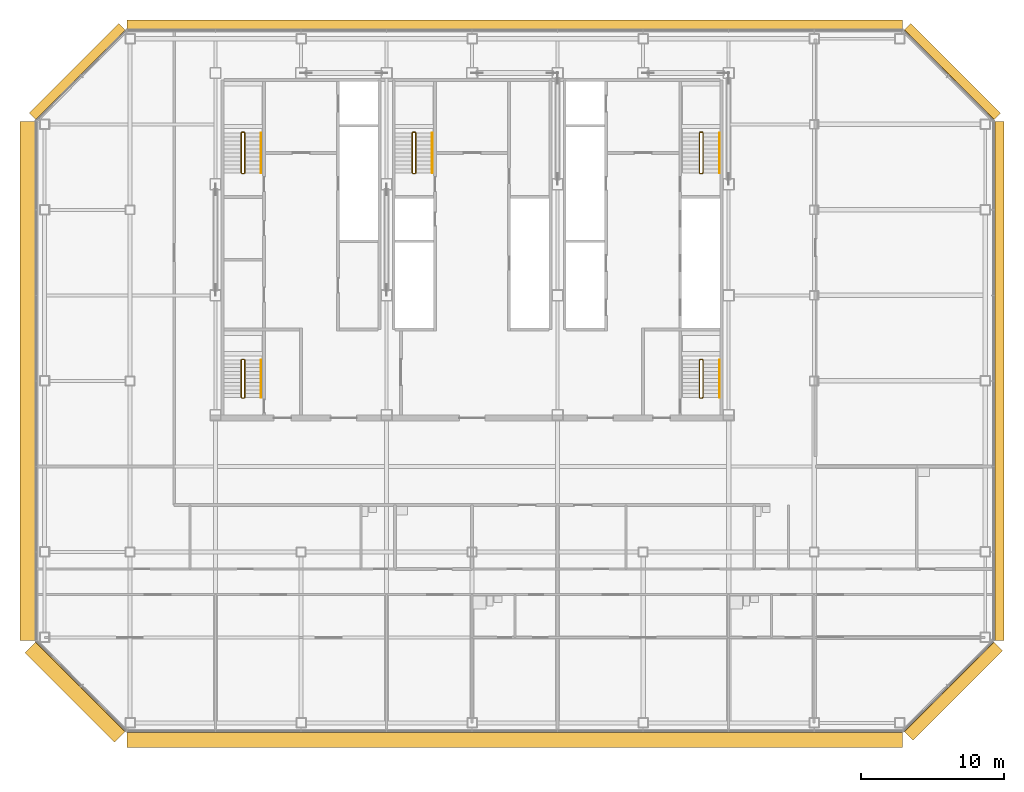
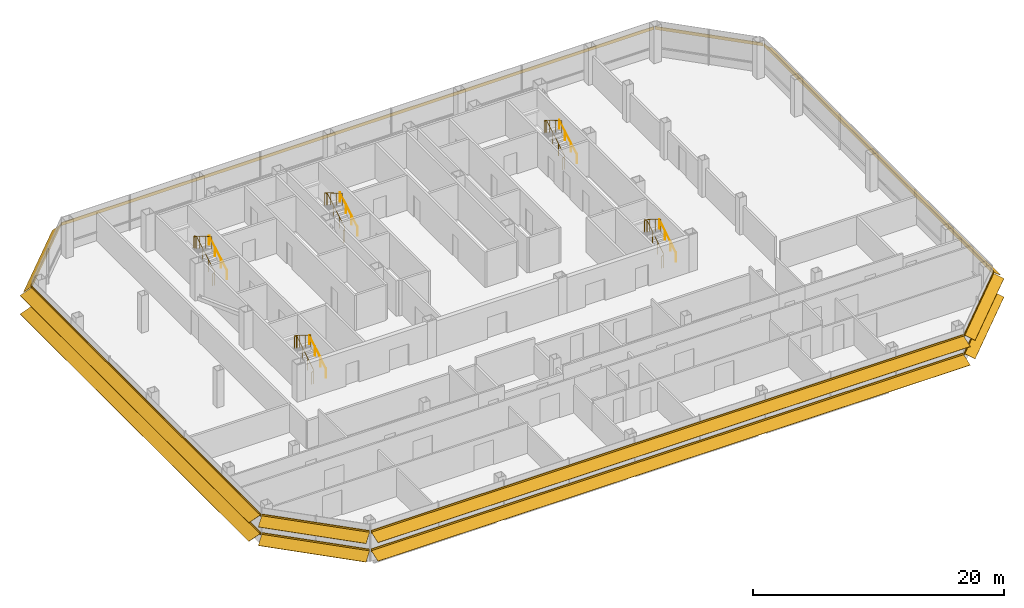
# One storey, part 23 of 24: 10 railings, 8 shading devices.
"""IFC4 building model written with IfcOpenShell, lengths in metres."""

from ifc_helpers import new_model, si_unit, direction, frame, origin, origin_2d, place, context, subcontext, project, spatial, polyline, circle, outline, composite_profile, extrude, material, type_object, element, save


model = new_model("IFC4")

# Units and contexts
model_context = context("Model", 3, precision=1e-05, world=origin(), true_north=direction((0.0, 1.0)))
body_context = subcontext(model_context, "Body", "Model", "MODEL_VIEW")
ifc_project = project(units=[si_unit("LENGTHUNIT", "METRE"), si_unit("AREAUNIT", "SQUARE_METRE"), si_unit("VOLUMEUNIT", "CUBIC_METRE"), si_unit("PLANEANGLEUNIT", "RADIAN"), si_unit("MASSUNIT", "GRAM", prefix="KILO")], contexts=[model_context])

# Site, building, storey
site_placement = place(None, origin())
site = spatial("IfcSite", under=ifc_project, at=site_placement, CompositionType="ELEMENT")
building_placement = place(site_placement, origin())
building = spatial("IfcBuilding", under=site, at=building_placement, Name="Sorahane Residences", CompositionType="ELEMENT")
storey_placement = place(building_placement, frame((0.0, 0.0, 178.0)))
storey = spatial("IfcBuildingStorey", under=building, at=storey_placement, Name="L41", CompositionType="ELEMENT", Elevation=178.0)

# Shading devices
ifc_material_1 = material(Name="Terracotta anodised aluminium", Category="masonry")
shading_device_type_1 = type_object("IfcShadingDeviceType", Name="Louvre sunshade blade E terracotta aluminium 700", PredefinedType="JALOUSIE", material=ifc_material_1)
shading_device_1_placement = place(storey_placement, frame((60.60009765625, 5.801513671875, 2.699951171875), z_axis=(0.0, 1.0, 0.0), x_axis=(-1.0, 0.0, 0.0)))
element("IfcShadingDevice", 1, at=shading_device_1_placement, inside=storey, type_object=shading_device_type_1, Name="Louvre sunshade blade bank E L41 E1", PredefinedType="JALOUSIE", context=body_context, shape_type="SweptSolid", body=[
    extrude(outline(polyline([(-0.719970703125, -0.49365234375), (-0.719970703125, -0.523681640625), (-0.080078125, -0.05859375), (-0.080078125, -0.14990234375), (-0.02001953125, -0.14990234375), (-0.02001953125, -0.014892578125), (-0.02001953125, 0.014892578125), (-0.02001953125, 0.14990234375), (-0.080078125, 0.14990234375), (-0.080078125, -0.028564453125), (-0.719970703125, -0.49365234375)])), origin(), (0.0, 0.0, 1.0), 36.39697265625),
])
ifc_material_2 = material(Name="Terracotta anodised aluminium", Category="masonry")
shading_device_type_2 = type_object("IfcShadingDeviceType", Name="Louvre sunshade blade N terracotta aluminium 700", PredefinedType="JALOUSIE", material=ifc_material_2)
shading_device_2_placement = place(storey_placement, frame((54.198486328125, 48.60009765625, 2.699951171875), z_axis=(-1.0, 0.0, 0.0), x_axis=(0.0, -1.0, 0.0)))
element("IfcShadingDevice", 2, at=shading_device_2_placement, inside=storey, type_object=shading_device_type_2, Name="Louvre sunshade blade bank N L41 N1", PredefinedType="JALOUSIE", context=body_context, shape_type="SweptSolid", body=[
    extrude(outline(polyline([(-0.719970703125, -0.660888671875), (-0.719970703125, -0.69091796875), (-0.080078125, -0.072998046875), (-0.080078125, -0.14990234375), (-0.02001953125, -0.14990234375), (-0.02001953125, -0.014892578125), (-0.02001953125, 0.014892578125), (-0.02001953125, 0.14990234375), (-0.080078125, 0.14990234375), (-0.080078125, -0.04296875), (-0.719970703125, -0.660888671875)])), origin(), (0.0, 0.0, 1.0), 54.39697265625),
])
ifc_material_3 = material(Name="Terracotta anodised aluminium", Category="masonry")
shading_device_type_3 = type_object("IfcShadingDeviceType", Name="Louvre sunshade blade NE terracotta aluminium 700", PredefinedType="JALOUSIE", material=ifc_material_3)
shading_device_3_placement = place(storey_placement, frame((60.564697265625, 42.283935546875, 2.699951171875), z_axis=(-0.707106781187, 0.707106781187, 0.0), x_axis=(-0.707106781187, -0.707106781187, 0.0)))
element("IfcShadingDevice", 3, at=shading_device_3_placement, inside=storey, type_object=shading_device_type_3, Name="Louvre sunshade blade bank NE L41 NE1", PredefinedType="JALOUSIE", context=body_context, shape_type="SweptSolid", body=[
    extrude(outline(polyline([(-0.719970703125, -0.572509765625), (-0.719970703125, -0.602294921875), (-0.080078125, -0.065185546875), (-0.080078125, -0.14990234375), (-0.02001953125, -0.14990234375), (-0.02001953125, -0.014892578125), (-0.02001953125, 0.014892578125), (-0.02001953125, 0.14990234375), (-0.080078125, 0.14990234375), (-0.080078125, -0.035400390625), (-0.719970703125, -0.572509765625)])), origin(), (0.0, 0.0, 1.0), 8.88232421875),
])
ifc_material_4 = material(Name="Terracotta anodised aluminium", Category="masonry")
shading_device_type_4 = type_object("IfcShadingDeviceType", Name="Louvre sunshade blade NW terracotta aluminium 700", PredefinedType="JALOUSIE", material=ifc_material_4)
shading_device_4_placement = place(storey_placement, frame((-0.283935546875, 48.564697265625, 2.699951171875), z_axis=(-0.707106781187, -0.707106781187, 0.0), x_axis=(0.707106781187, -0.707106781187, 0.0)))
element("IfcShadingDevice", 4, at=shading_device_4_placement, inside=storey, type_object=shading_device_type_4, Name="Louvre sunshade blade bank NW L41 NW1", PredefinedType="JALOUSIE", context=body_context, shape_type="SweptSolid", body=[
    extrude(outline(polyline([(-0.719970703125, -0.660888671875), (-0.719970703125, -0.69091796875), (-0.080078125, -0.072998046875), (-0.080078125, -0.14990234375), (-0.02001953125, -0.14990234375), (-0.02001953125, -0.014892578125), (-0.02001953125, 0.014892578125), (-0.02001953125, 0.14990234375), (-0.080078125, 0.14990234375), (-0.080078125, -0.04296875), (-0.719970703125, -0.660888671875)])), origin(), (0.0, 0.0, 1.0), 8.88232421875),
])
ifc_material_5 = material(Name="Terracotta anodised aluminium", Category="masonry")
shading_device_type_5 = type_object("IfcShadingDeviceType", Name="Louvre sunshade blade S terracotta aluminium 1100", PredefinedType="JALOUSIE", material=ifc_material_5)
shading_device_5_placement = place(storey_placement, frame((-0.198486328125, -0.60009765625, 0.89990234375), z_axis=(1.0, 0.0, 0.0), x_axis=(0.0, 1.0, 0.0)))
element("IfcShadingDevice", 5, at=shading_device_5_placement, inside=storey, type_object=shading_device_type_5, Name="Louvre sunshade blade bank S L41 S1", PredefinedType="JALOUSIE", context=body_context, shape_type="SweptSolid", body=[
    extrude(composite_profile([outline(polyline([(-1.1201171875, -0.385498046875), (-1.1201171875, -0.415283203125), (-0.080078125, -0.036865234375), (-0.080078125, -0.14990234375), (-0.02001953125, -0.14990234375), (-0.02001953125, -0.014892578125), (-0.02001953125, 0.014892578125), (-0.02001953125, 0.14990234375), (-0.080078125, 0.14990234375), (-0.080078125, -0.0068359375), (-1.1201171875, -0.385498046875)])), outline(polyline([(-1.1201171875, 1.41455078125), (-1.1201171875, 1.384521484375), (-0.080078125, 1.76318359375), (-0.080078125, 1.64990234375), (-0.02001953125, 1.64990234375), (-0.02001953125, 1.784912109375), (-0.02001953125, 1.81494140625), (-0.02001953125, 1.949951171875), (-0.080078125, 1.949951171875), (-0.080078125, 1.793212890625), (-1.1201171875, 1.41455078125)]))]), origin(), (0.0, 0.0, 1.0), 54.39697265625),
])
ifc_material_6 = material(Name="Terracotta anodised aluminium", Category="masonry")
shading_device_type_6 = type_object("IfcShadingDeviceType", Name="Louvre sunshade blade SE terracotta aluminium 900", PredefinedType="JALOUSIE", material=ifc_material_6)
shading_device_6_placement = place(storey_placement, frame((54.283935546875, -0.564697265625, 0.89990234375), z_axis=(0.707106781187, 0.707106781187, 0.0), x_axis=(-0.707106781187, 0.707106781187, 0.0)))
element("IfcShadingDevice", 6, at=shading_device_6_placement, inside=storey, type_object=shading_device_type_6, Name="Louvre sunshade blade bank SE L41 SE1", PredefinedType="JALOUSIE", context=body_context, shape_type="SweptSolid", body=[
    extrude(composite_profile([outline(polyline([(-0.919921875, -0.3486328125), (-0.919921875, -0.378662109375), (-0.080078125, -0.039306640625), (-0.080078125, -0.14990234375), (-0.02001953125, -0.14990234375), (-0.02001953125, -0.014892578125), (-0.02001953125, 0.014892578125), (-0.02001953125, 0.14990234375), (-0.080078125, 0.14990234375), (-0.080078125, -0.00927734375), (-0.919921875, -0.3486328125)])), outline(polyline([(-0.919921875, 1.451416015625), (-0.919921875, 1.42138671875), (-0.080078125, 1.7607421875), (-0.080078125, 1.64990234375), (-0.02001953125, 1.64990234375), (-0.02001953125, 1.784912109375), (-0.02001953125, 1.81494140625), (-0.02001953125, 1.949951171875), (-0.080078125, 1.949951171875), (-0.080078125, 1.790771484375), (-0.919921875, 1.451416015625)]))]), origin(), (0.0, 0.0, 1.0), 8.88232421875),
])
ifc_material_7 = material(Name="Terracotta anodised aluminium", Category="masonry")
shading_device_type_7 = type_object("IfcShadingDeviceType", Name="Louvre sunshade blade SW terracotta aluminium 1100", PredefinedType="JALOUSIE", material=ifc_material_7)
shading_device_7_placement = place(storey_placement, frame((-6.564697265625, 5.716064453125, 0.89990234375), z_axis=(0.707106781187, -0.707106781187, 0.0), x_axis=(0.707106781187, 0.707106781187, 0.0)))
element("IfcShadingDevice", 7, at=shading_device_7_placement, inside=storey, type_object=shading_device_type_7, Name="Louvre sunshade blade bank SW L41 SW1", PredefinedType="JALOUSIE", context=body_context, shape_type="SweptSolid", body=[
    extrude(composite_profile([outline(polyline([(-1.1201171875, -0.385498046875), (-1.1201171875, -0.415283203125), (-0.080078125, -0.036865234375), (-0.080078125, -0.14990234375), (-0.02001953125, -0.14990234375), (-0.02001953125, -0.014892578125), (-0.02001953125, 0.014892578125), (-0.02001953125, 0.14990234375), (-0.080078125, 0.14990234375), (-0.080078125, -0.0068359375), (-1.1201171875, -0.385498046875)])), outline(polyline([(-1.1201171875, 1.41455078125), (-1.1201171875, 1.384521484375), (-0.080078125, 1.76318359375), (-0.080078125, 1.64990234375), (-0.02001953125, 1.64990234375), (-0.02001953125, 1.784912109375), (-0.02001953125, 1.81494140625), (-0.02001953125, 1.949951171875), (-0.080078125, 1.949951171875), (-0.080078125, 1.793212890625), (-1.1201171875, 1.41455078125)]))]), origin(), (0.0, 0.0, 1.0), 8.88232421875),
])
ifc_material_8 = material(Name="Terracotta anodised aluminium", Category="masonry")
shading_device_type_8 = type_object("IfcShadingDeviceType", Name="Louvre sunshade blade W terracotta aluminium 1100", PredefinedType="JALOUSIE", material=ifc_material_8)
shading_device_8_placement = place(storey_placement, frame((-6.60009765625, 42.198486328125, 0.89990234375), z_axis=(0.0, -1.0, 0.0), x_axis=(1.0, 0.0, 0.0)))
element("IfcShadingDevice", 8, at=shading_device_8_placement, inside=storey, type_object=shading_device_type_8, Name="Louvre sunshade blade bank W L41 W1", PredefinedType="JALOUSIE", context=body_context, shape_type="SweptSolid", body=[
    extrude(composite_profile([outline(polyline([(-1.1201171875, -0.385498046875), (-1.1201171875, -0.415283203125), (-0.080078125, -0.036865234375), (-0.080078125, -0.14990234375), (-0.02001953125, -0.14990234375), (-0.02001953125, -0.014892578125), (-0.02001953125, 0.014892578125), (-0.02001953125, 0.14990234375), (-0.080078125, 0.14990234375), (-0.080078125, -0.0068359375), (-1.1201171875, -0.385498046875)])), outline(polyline([(-1.1201171875, 1.41455078125), (-1.1201171875, 1.384521484375), (-0.080078125, 1.76318359375), (-0.080078125, 1.64990234375), (-0.02001953125, 1.64990234375), (-0.02001953125, 1.784912109375), (-0.02001953125, 1.81494140625), (-0.02001953125, 1.949951171875), (-0.080078125, 1.949951171875), (-0.080078125, 1.793212890625), (-1.1201171875, 1.41455078125)]))]), origin(), (0.0, 0.0, 1.0), 36.39697265625),
])

# Railings
ifc_material_9 = material(Name="Steel Q355B", Category="steel")
railing_type_1 = type_object("IfcRailingType", Name="Stair guard 1200 Steel Q355B", PredefinedType="GUARDRAIL", material=ifc_material_9)
railing_1_placement = place(storey_placement, frame((7.85009765625, 38.550048828125, 0.0)))
element("IfcRailing", 9, at=railing_1_placement, inside=storey, type_object=railing_type_1, Name="L41 S1 stair guard 1", PredefinedType="GUARDRAIL", context=body_context, shape_type="SweptSolid", body=[
    extrude(circle(Radius=0.02392578125, at=origin_2d()), frame((0.0, 0.0, 1.17578125), z_axis=(1.0, 0.0, 0.0), x_axis=(0.0, 1.0, 0.0)), (0.0, 0.0, 1.0), 0.14990234375),
    extrude(circle(Radius=0.02392578125, at=origin_2d()), frame((0.14990234375, 0.0, 1.17578125), z_axis=(0.280808744504, 0.280808744504, 0.917765164963), x_axis=(-0.707106781187, 0.707106781187, 0.0)), (0.0, 0.0, 1.0), 0.17822265625),
    extrude(circle(Radius=0.02392578125, at=origin_2d()), frame((0.199951171875, 0.050048828125, 1.33935546875), z_axis=(0.0, 0.863341702679, 0.504619762213), x_axis=(-1.0, 0.0, 0.0)), (0.0, 0.0, 1.0), 3.242919921875),
    extrude(circle(Radius=0.02392578125, at=origin_2d()), frame((0.199951171875, 2.849853515625, 2.97607421875), z_axis=(-0.707106781187, 0.707106781187, 0.0), x_axis=(-0.707106781187, -0.707106781187, 0.0)), (0.0, 0.0, 1.0), 0.07080078125),
    extrude(circle(Radius=0.02392578125, at=origin_2d()), frame((0.14990234375, 2.89990234375, 2.97607421875), z_axis=(-1.0, 0.0, 0.0), x_axis=(0.0, -1.0, 0.0)), (0.0, 0.0, 1.0), 0.14990234375),
    extrude(circle(Radius=0.02392578125, at=origin_2d()), frame((0.0, 2.89990234375, 2.97607421875), z_axis=(-0.280808744504, -0.280808744504, 0.917765164963), x_axis=(0.707106781187, -0.707106781187, 0.0)), (0.0, 0.0, 1.0), 0.17822265625),
    extrude(circle(Radius=0.02392578125, at=origin_2d()), frame((-0.050048828125, 2.849853515625, 3.1396484375), z_axis=(0.0, -0.863341702679, 0.504619762213), x_axis=(1.0, 0.0, 0.0)), (0.0, 0.0, 1.0), 3.242919921875),
    extrude(circle(Radius=0.02099609375, at=origin_2d()), origin(), (0.0, 0.0, 1.0), 1.15185546875),
    extrude(circle(Radius=0.02099609375, at=origin_2d()), frame((0.14990234375, 0.0, 0.0)), (0.0, 0.0, 1.0), 1.15185546875),
    extrude(circle(Radius=0.02099609375, at=origin_2d()), frame((0.199951171875, 0.050048828125, 0.16357421875)), (0.0, 0.0, 1.0), 1.15185546875),
    extrude(circle(Radius=0.02099609375, at=origin_2d()), frame((0.199951171875, 0.9833984375, 0.708984375)), (0.0, 0.0, 1.0), 1.15185546875),
    extrude(circle(Radius=0.02099609375, at=origin_2d()), frame((0.199951171875, 1.91650390625, 1.254638671875)), (0.0, 0.0, 1.0), 1.15185546875),
    extrude(circle(Radius=0.02099609375, at=origin_2d()), frame((0.199951171875, 2.849853515625, 1.800048828125)), (0.0, 0.0, 1.0), 1.15185546875),
    extrude(circle(Radius=0.02099609375, at=origin_2d()), frame((0.14990234375, 2.89990234375, 1.800048828125)), (0.0, 0.0, 1.0), 1.15185546875),
    extrude(circle(Radius=0.02099609375, at=origin_2d()), frame((0.0, 2.89990234375, 1.800048828125)), (0.0, 0.0, 1.0), 1.15185546875),
    extrude(circle(Radius=0.02099609375, at=origin_2d()), frame((-0.050048828125, 2.849853515625, 1.963623046875)), (0.0, 0.0, 1.0), 1.15185546875),
    extrude(circle(Radius=0.02099609375, at=origin_2d()), frame((-0.050048828125, 1.91650390625, 2.509033203125)), (0.0, 0.0, 1.0), 1.15185546875),
    extrude(circle(Radius=0.02099609375, at=origin_2d()), frame((-0.050048828125, 0.9833984375, 3.0546875)), (0.0, 0.0, 1.0), 1.15185546875),
    extrude(circle(Radius=0.02099609375, at=origin_2d()), frame((-0.050048828125, 0.050048828125, 3.60009765625)), (0.0, 0.0, 1.0), 1.15185546875),
])
railing_2_placement = place(storey_placement, frame((40.0, 38.550048828125, 0.0)))
element("IfcRailing", 10, at=railing_2_placement, inside=storey, type_object=railing_type_1, Name="L41 S2 stair guard 1", PredefinedType="GUARDRAIL", context=body_context, shape_type="SweptSolid", body=[
    extrude(circle(Radius=0.02392578125, at=origin_2d()), frame((0.0, 0.0, 1.17578125), z_axis=(1.0, 0.0, 0.0), x_axis=(0.0, 1.0, 0.0)), (0.0, 0.0, 1.0), 0.14990234375),
    extrude(circle(Radius=0.02392578125, at=origin_2d()), frame((0.14990234375, 0.0, 1.17578125), z_axis=(0.280808744504, 0.280808744504, 0.917765164963), x_axis=(-0.707106781187, 0.707106781187, 0.0)), (0.0, 0.0, 1.0), 0.17822265625),
    extrude(circle(Radius=0.02392578125, at=origin_2d()), frame((0.199951171875, 0.050048828125, 1.33935546875), z_axis=(0.0, 0.863341702679, 0.504619762213), x_axis=(-1.0, 0.0, 0.0)), (0.0, 0.0, 1.0), 3.242919921875),
    extrude(circle(Radius=0.02392578125, at=origin_2d()), frame((0.199951171875, 2.849853515625, 2.97607421875), z_axis=(-0.707106781187, 0.707106781187, 0.0), x_axis=(-0.707106781187, -0.707106781187, 0.0)), (0.0, 0.0, 1.0), 0.07080078125),
    extrude(circle(Radius=0.02392578125, at=origin_2d()), frame((0.14990234375, 2.89990234375, 2.97607421875), z_axis=(-1.0, 0.0, 0.0), x_axis=(0.0, -1.0, 0.0)), (0.0, 0.0, 1.0), 0.14990234375),
    extrude(circle(Radius=0.02392578125, at=origin_2d()), frame((0.0, 2.89990234375, 2.97607421875), z_axis=(-0.280808744504, -0.280808744504, 0.917765164963), x_axis=(0.707106781187, -0.707106781187, 0.0)), (0.0, 0.0, 1.0), 0.17822265625),
    extrude(circle(Radius=0.02392578125, at=origin_2d()), frame((-0.050048828125, 2.849853515625, 3.1396484375), z_axis=(0.0, -0.863341702679, 0.504619762213), x_axis=(1.0, 0.0, 0.0)), (0.0, 0.0, 1.0), 3.242919921875),
    extrude(circle(Radius=0.02099609375, at=origin_2d()), origin(), (0.0, 0.0, 1.0), 1.15185546875),
    extrude(circle(Radius=0.02099609375, at=origin_2d()), frame((0.14990234375, 0.0, 0.0)), (0.0, 0.0, 1.0), 1.15185546875),
    extrude(circle(Radius=0.02099609375, at=origin_2d()), frame((0.199951171875, 0.050048828125, 0.16357421875)), (0.0, 0.0, 1.0), 1.15185546875),
    extrude(circle(Radius=0.02099609375, at=origin_2d()), frame((0.199951171875, 0.9833984375, 0.708984375)), (0.0, 0.0, 1.0), 1.15185546875),
    extrude(circle(Radius=0.02099609375, at=origin_2d()), frame((0.199951171875, 1.91650390625, 1.254638671875)), (0.0, 0.0, 1.0), 1.15185546875),
    extrude(circle(Radius=0.02099609375, at=origin_2d()), frame((0.199951171875, 2.849853515625, 1.800048828125)), (0.0, 0.0, 1.0), 1.15185546875),
    extrude(circle(Radius=0.02099609375, at=origin_2d()), frame((0.14990234375, 2.89990234375, 1.800048828125)), (0.0, 0.0, 1.0), 1.15185546875),
    extrude(circle(Radius=0.02099609375, at=origin_2d()), frame((0.0, 2.89990234375, 1.800048828125)), (0.0, 0.0, 1.0), 1.15185546875),
    extrude(circle(Radius=0.02099609375, at=origin_2d()), frame((-0.050048828125, 2.849853515625, 1.963623046875)), (0.0, 0.0, 1.0), 1.15185546875),
    extrude(circle(Radius=0.02099609375, at=origin_2d()), frame((-0.050048828125, 1.91650390625, 2.509033203125)), (0.0, 0.0, 1.0), 1.15185546875),
    extrude(circle(Radius=0.02099609375, at=origin_2d()), frame((-0.050048828125, 0.9833984375, 3.0546875)), (0.0, 0.0, 1.0), 1.15185546875),
    extrude(circle(Radius=0.02099609375, at=origin_2d()), frame((-0.050048828125, 0.050048828125, 3.60009765625)), (0.0, 0.0, 1.0), 1.15185546875),
])
railing_3_placement = place(storey_placement, frame((19.85009765625, 38.550048828125, 0.0)))
element("IfcRailing", 11, at=railing_3_placement, inside=storey, type_object=railing_type_1, Name="L41 S3 stair guard 1", PredefinedType="GUARDRAIL", context=body_context, shape_type="SweptSolid", body=[
    extrude(circle(Radius=0.02392578125, at=origin_2d()), frame((0.0, 0.0, 1.17578125), z_axis=(1.0, 0.0, 0.0), x_axis=(0.0, 1.0, 0.0)), (0.0, 0.0, 1.0), 0.14990234375),
    extrude(circle(Radius=0.02392578125, at=origin_2d()), frame((0.14990234375, 0.0, 1.17578125), z_axis=(0.280808744504, 0.280808744504, 0.917765164963), x_axis=(-0.707106781187, 0.707106781187, 0.0)), (0.0, 0.0, 1.0), 0.17822265625),
    extrude(circle(Radius=0.02392578125, at=origin_2d()), frame((0.199951171875, 0.050048828125, 1.33935546875), z_axis=(0.0, 0.863341702679, 0.504619762213), x_axis=(-1.0, 0.0, 0.0)), (0.0, 0.0, 1.0), 3.242919921875),
    extrude(circle(Radius=0.02392578125, at=origin_2d()), frame((0.199951171875, 2.849853515625, 2.97607421875), z_axis=(-0.707106781187, 0.707106781187, 0.0), x_axis=(-0.707106781187, -0.707106781187, 0.0)), (0.0, 0.0, 1.0), 0.07080078125),
    extrude(circle(Radius=0.02392578125, at=origin_2d()), frame((0.14990234375, 2.89990234375, 2.97607421875), z_axis=(-1.0, 0.0, 0.0), x_axis=(0.0, -1.0, 0.0)), (0.0, 0.0, 1.0), 0.14990234375),
    extrude(circle(Radius=0.02392578125, at=origin_2d()), frame((0.0, 2.89990234375, 2.97607421875), z_axis=(-0.280808744504, -0.280808744504, 0.917765164963), x_axis=(0.707106781187, -0.707106781187, 0.0)), (0.0, 0.0, 1.0), 0.17822265625),
    extrude(circle(Radius=0.02392578125, at=origin_2d()), frame((-0.050048828125, 2.849853515625, 3.1396484375), z_axis=(0.0, -0.863341702679, 0.504619762213), x_axis=(1.0, 0.0, 0.0)), (0.0, 0.0, 1.0), 3.242919921875),
    extrude(circle(Radius=0.02099609375, at=origin_2d()), origin(), (0.0, 0.0, 1.0), 1.15185546875),
    extrude(circle(Radius=0.02099609375, at=origin_2d()), frame((0.14990234375, 0.0, 0.0)), (0.0, 0.0, 1.0), 1.15185546875),
    extrude(circle(Radius=0.02099609375, at=origin_2d()), frame((0.199951171875, 0.050048828125, 0.16357421875)), (0.0, 0.0, 1.0), 1.15185546875),
    extrude(circle(Radius=0.02099609375, at=origin_2d()), frame((0.199951171875, 0.9833984375, 0.708984375)), (0.0, 0.0, 1.0), 1.15185546875),
    extrude(circle(Radius=0.02099609375, at=origin_2d()), frame((0.199951171875, 1.91650390625, 1.254638671875)), (0.0, 0.0, 1.0), 1.15185546875),
    extrude(circle(Radius=0.02099609375, at=origin_2d()), frame((0.199951171875, 2.849853515625, 1.800048828125)), (0.0, 0.0, 1.0), 1.15185546875),
    extrude(circle(Radius=0.02099609375, at=origin_2d()), frame((0.14990234375, 2.89990234375, 1.800048828125)), (0.0, 0.0, 1.0), 1.15185546875),
    extrude(circle(Radius=0.02099609375, at=origin_2d()), frame((0.0, 2.89990234375, 1.800048828125)), (0.0, 0.0, 1.0), 1.15185546875),
    extrude(circle(Radius=0.02099609375, at=origin_2d()), frame((-0.050048828125, 2.849853515625, 1.963623046875)), (0.0, 0.0, 1.0), 1.15185546875),
    extrude(circle(Radius=0.02099609375, at=origin_2d()), frame((-0.050048828125, 1.91650390625, 2.509033203125)), (0.0, 0.0, 1.0), 1.15185546875),
    extrude(circle(Radius=0.02099609375, at=origin_2d()), frame((-0.050048828125, 0.9833984375, 3.0546875)), (0.0, 0.0, 1.0), 1.15185546875),
    extrude(circle(Radius=0.02099609375, at=origin_2d()), frame((-0.050048828125, 0.050048828125, 3.60009765625)), (0.0, 0.0, 1.0), 1.15185546875),
])
railing_4_placement = place(storey_placement, frame((7.85009765625, 22.800048828125, 0.0)))
element("IfcRailing", 12, at=railing_4_placement, inside=storey, type_object=railing_type_1, Name="L41 S4 stair guard 1", PredefinedType="GUARDRAIL", context=body_context, shape_type="SweptSolid", body=[
    extrude(circle(Radius=0.02392578125, at=origin_2d()), frame((0.0, 0.0, 1.17578125), z_axis=(1.0, 0.0, 0.0), x_axis=(0.0, 1.0, 0.0)), (0.0, 0.0, 1.0), 0.14990234375),
    extrude(circle(Radius=0.02392578125, at=origin_2d()), frame((0.14990234375, 0.0, 1.17578125), z_axis=(0.280808744504, 0.280808744504, 0.917765164963), x_axis=(-0.707106781187, 0.707106781187, 0.0)), (0.0, 0.0, 1.0), 0.17822265625),
    extrude(circle(Radius=0.02392578125, at=origin_2d()), frame((0.199951171875, 0.050048828125, 1.33935546875), z_axis=(0.0, 0.846301844409, 0.532703658848), x_axis=(-1.0, 0.0, 0.0)), (0.0, 0.0, 1.0), 3.072021484375),
    extrude(circle(Radius=0.02392578125, at=origin_2d()), frame((0.199951171875, 2.64990234375, 2.97607421875), z_axis=(-0.707106781187, 0.707106781187, 0.0), x_axis=(-0.707106781187, -0.707106781187, 0.0)), (0.0, 0.0, 1.0), 0.07080078125),
    extrude(circle(Radius=0.02392578125, at=origin_2d()), frame((0.14990234375, 2.699951171875, 2.97607421875), z_axis=(-1.0, 0.0, 0.0), x_axis=(0.0, -1.0, 0.0)), (0.0, 0.0, 1.0), 0.14990234375),
    extrude(circle(Radius=0.02392578125, at=origin_2d()), frame((0.0, 2.699951171875, 2.97607421875), z_axis=(-0.280808744504, -0.280808744504, 0.917765164963), x_axis=(0.707106781187, -0.707106781187, 0.0)), (0.0, 0.0, 1.0), 0.17822265625),
    extrude(circle(Radius=0.02392578125, at=origin_2d()), frame((-0.050048828125, 2.64990234375, 3.1396484375), z_axis=(0.0, -0.846301844409, 0.532703658848), x_axis=(1.0, 0.0, 0.0)), (0.0, 0.0, 1.0), 3.072021484375),
    extrude(circle(Radius=0.02099609375, at=origin_2d()), origin(), (0.0, 0.0, 1.0), 1.15185546875),
    extrude(circle(Radius=0.02099609375, at=origin_2d()), frame((0.14990234375, 0.0, 0.0)), (0.0, 0.0, 1.0), 1.15185546875),
    extrude(circle(Radius=0.02099609375, at=origin_2d()), frame((0.199951171875, 0.050048828125, 0.16357421875)), (0.0, 0.0, 1.0), 1.15185546875),
    extrude(circle(Radius=0.02099609375, at=origin_2d()), frame((0.199951171875, 0.916748046875, 0.708984375)), (0.0, 0.0, 1.0), 1.15185546875),
    extrude(circle(Radius=0.02099609375, at=origin_2d()), frame((0.199951171875, 1.783203125, 1.254638671875)), (0.0, 0.0, 1.0), 1.15185546875),
    extrude(circle(Radius=0.02099609375, at=origin_2d()), frame((0.199951171875, 2.64990234375, 1.800048828125)), (0.0, 0.0, 1.0), 1.15185546875),
    extrude(circle(Radius=0.02099609375, at=origin_2d()), frame((0.14990234375, 2.699951171875, 1.800048828125)), (0.0, 0.0, 1.0), 1.15185546875),
    extrude(circle(Radius=0.02099609375, at=origin_2d()), frame((0.0, 2.699951171875, 1.800048828125)), (0.0, 0.0, 1.0), 1.15185546875),
    extrude(circle(Radius=0.02099609375, at=origin_2d()), frame((-0.050048828125, 2.64990234375, 1.963623046875)), (0.0, 0.0, 1.0), 1.15185546875),
    extrude(circle(Radius=0.02099609375, at=origin_2d()), frame((-0.050048828125, 1.783203125, 2.509033203125)), (0.0, 0.0, 1.0), 1.15185546875),
    extrude(circle(Radius=0.02099609375, at=origin_2d()), frame((-0.050048828125, 0.916748046875, 3.0546875)), (0.0, 0.0, 1.0), 1.15185546875),
    extrude(circle(Radius=0.02099609375, at=origin_2d()), frame((-0.050048828125, 0.050048828125, 3.60009765625)), (0.0, 0.0, 1.0), 1.15185546875),
])
railing_5_placement = place(storey_placement, frame((40.0, 22.800048828125, 0.0)))
element("IfcRailing", 13, at=railing_5_placement, inside=storey, type_object=railing_type_1, Name="L41 S5 stair guard 1", PredefinedType="GUARDRAIL", context=body_context, shape_type="SweptSolid", body=[
    extrude(circle(Radius=0.02392578125, at=origin_2d()), frame((0.0, 0.0, 1.17578125), z_axis=(1.0, 0.0, 0.0), x_axis=(0.0, 1.0, 0.0)), (0.0, 0.0, 1.0), 0.14990234375),
    extrude(circle(Radius=0.02392578125, at=origin_2d()), frame((0.14990234375, 0.0, 1.17578125), z_axis=(0.280808744504, 0.280808744504, 0.917765164963), x_axis=(-0.707106781187, 0.707106781187, 0.0)), (0.0, 0.0, 1.0), 0.17822265625),
    extrude(circle(Radius=0.02392578125, at=origin_2d()), frame((0.199951171875, 0.050048828125, 1.33935546875), z_axis=(0.0, 0.846301844409, 0.532703658848), x_axis=(-1.0, 0.0, 0.0)), (0.0, 0.0, 1.0), 3.072021484375),
    extrude(circle(Radius=0.02392578125, at=origin_2d()), frame((0.199951171875, 2.64990234375, 2.97607421875), z_axis=(-0.707106781187, 0.707106781187, 0.0), x_axis=(-0.707106781187, -0.707106781187, 0.0)), (0.0, 0.0, 1.0), 0.07080078125),
    extrude(circle(Radius=0.02392578125, at=origin_2d()), frame((0.14990234375, 2.699951171875, 2.97607421875), z_axis=(-1.0, 0.0, 0.0), x_axis=(0.0, -1.0, 0.0)), (0.0, 0.0, 1.0), 0.14990234375),
    extrude(circle(Radius=0.02392578125, at=origin_2d()), frame((0.0, 2.699951171875, 2.97607421875), z_axis=(-0.280808744504, -0.280808744504, 0.917765164963), x_axis=(0.707106781187, -0.707106781187, 0.0)), (0.0, 0.0, 1.0), 0.17822265625),
    extrude(circle(Radius=0.02392578125, at=origin_2d()), frame((-0.050048828125, 2.64990234375, 3.1396484375), z_axis=(0.0, -0.846301844409, 0.532703658848), x_axis=(1.0, 0.0, 0.0)), (0.0, 0.0, 1.0), 3.072021484375),
    extrude(circle(Radius=0.02099609375, at=origin_2d()), origin(), (0.0, 0.0, 1.0), 1.15185546875),
    extrude(circle(Radius=0.02099609375, at=origin_2d()), frame((0.14990234375, 0.0, 0.0)), (0.0, 0.0, 1.0), 1.15185546875),
    extrude(circle(Radius=0.02099609375, at=origin_2d()), frame((0.199951171875, 0.050048828125, 0.16357421875)), (0.0, 0.0, 1.0), 1.15185546875),
    extrude(circle(Radius=0.02099609375, at=origin_2d()), frame((0.199951171875, 0.916748046875, 0.708984375)), (0.0, 0.0, 1.0), 1.15185546875),
    extrude(circle(Radius=0.02099609375, at=origin_2d()), frame((0.199951171875, 1.783203125, 1.254638671875)), (0.0, 0.0, 1.0), 1.15185546875),
    extrude(circle(Radius=0.02099609375, at=origin_2d()), frame((0.199951171875, 2.64990234375, 1.800048828125)), (0.0, 0.0, 1.0), 1.15185546875),
    extrude(circle(Radius=0.02099609375, at=origin_2d()), frame((0.14990234375, 2.699951171875, 1.800048828125)), (0.0, 0.0, 1.0), 1.15185546875),
    extrude(circle(Radius=0.02099609375, at=origin_2d()), frame((0.0, 2.699951171875, 1.800048828125)), (0.0, 0.0, 1.0), 1.15185546875),
    extrude(circle(Radius=0.02099609375, at=origin_2d()), frame((-0.050048828125, 2.64990234375, 1.963623046875)), (0.0, 0.0, 1.0), 1.15185546875),
    extrude(circle(Radius=0.02099609375, at=origin_2d()), frame((-0.050048828125, 1.783203125, 2.509033203125)), (0.0, 0.0, 1.0), 1.15185546875),
    extrude(circle(Radius=0.02099609375, at=origin_2d()), frame((-0.050048828125, 0.916748046875, 3.0546875)), (0.0, 0.0, 1.0), 1.15185546875),
    extrude(circle(Radius=0.02099609375, at=origin_2d()), frame((-0.050048828125, 0.050048828125, 3.60009765625)), (0.0, 0.0, 1.0), 1.15185546875),
])
ifc_material_10 = material(Name="Steel Q355B", Category="steel")
railing_type_2 = type_object("IfcRailingType", Name="Stair handrail 900 Steel Q355B", PredefinedType="HANDRAIL", material=ifc_material_10)
for number, where, name in (
    (14, (9.199951171875, 38.60009765625, 0.16357421875), "L41 S1 stair handrail 1"),
    (15, (41.35009765625, 38.60009765625, 0.16357421875), "L41 S2 stair handrail 1"),
    (16, (21.199951171875, 38.60009765625, 0.16357421875), "L41 S3 stair handrail 1"),
):
    element("IfcRailing", number, at=place(storey_placement, frame(where)), inside=storey, type_object=railing_type_2, Name=name, PredefinedType="HANDRAIL", context=body_context, shape_type="SweptSolid", body=[
        extrude(circle(Radius=0.02392578125, at=origin_2d()), frame((0.0, 0.0, 0.8759765625), z_axis=(0.0, 0.863341702679, 0.504619762213), x_axis=(-1.0, 0.0, 0.0)), (0.0, 0.0, 1.0), 3.242919921875),
        extrude(circle(Radius=0.02099609375, at=origin_2d()), origin(), (0.0, 0.0, 1.0), 0.851806640625),
        extrude(circle(Radius=0.02099609375, at=origin_2d()), frame((0.0, 0.933349609375, 0.54541015625)), (0.0, 0.0, 1.0), 0.851806640625),
        extrude(circle(Radius=0.02099609375, at=origin_2d()), frame((0.0, 1.866455078125, 1.091064453125)), (0.0, 0.0, 1.0), 0.851806640625),
        extrude(circle(Radius=0.02099609375, at=origin_2d()), frame((0.0, 2.7998046875, 1.636474609375)), (0.0, 0.0, 1.0), 0.851806640625),
    ])
for number, where, name in (
    (17, (9.199951171875, 22.85009765625, 0.16357421875), "L41 S4 stair handrail 1"),
    (18, (41.35009765625, 22.85009765625, 0.16357421875), "L41 S5 stair handrail 1"),
):
    element("IfcRailing", number, at=place(storey_placement, frame(where)), inside=storey, type_object=railing_type_2, Name=name, PredefinedType="HANDRAIL", context=body_context, shape_type="SweptSolid", body=[
        extrude(circle(Radius=0.02392578125, at=origin_2d()), frame((0.0, 0.0, 0.8759765625), z_axis=(0.0, 0.846301844409, 0.532703658848), x_axis=(-1.0, 0.0, 0.0)), (0.0, 0.0, 1.0), 3.072021484375),
        extrude(circle(Radius=0.02099609375, at=origin_2d()), origin(), (0.0, 0.0, 1.0), 0.851806640625),
        extrude(circle(Radius=0.02099609375, at=origin_2d()), frame((0.0, 0.86669921875, 0.54541015625)), (0.0, 0.0, 1.0), 0.851806640625),
        extrude(circle(Radius=0.02099609375, at=origin_2d()), frame((0.0, 1.733154296875, 1.091064453125)), (0.0, 0.0, 1.0), 0.851806640625),
        extrude(circle(Radius=0.02099609375, at=origin_2d()), frame((0.0, 2.599853515625, 1.636474609375)), (0.0, 0.0, 1.0), 0.851806640625),
    ])

save(model, "model.ifc")
